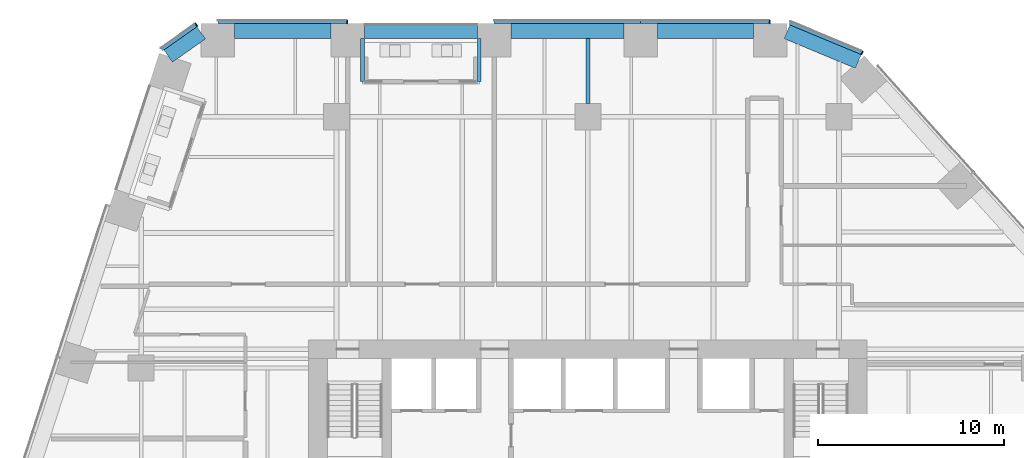
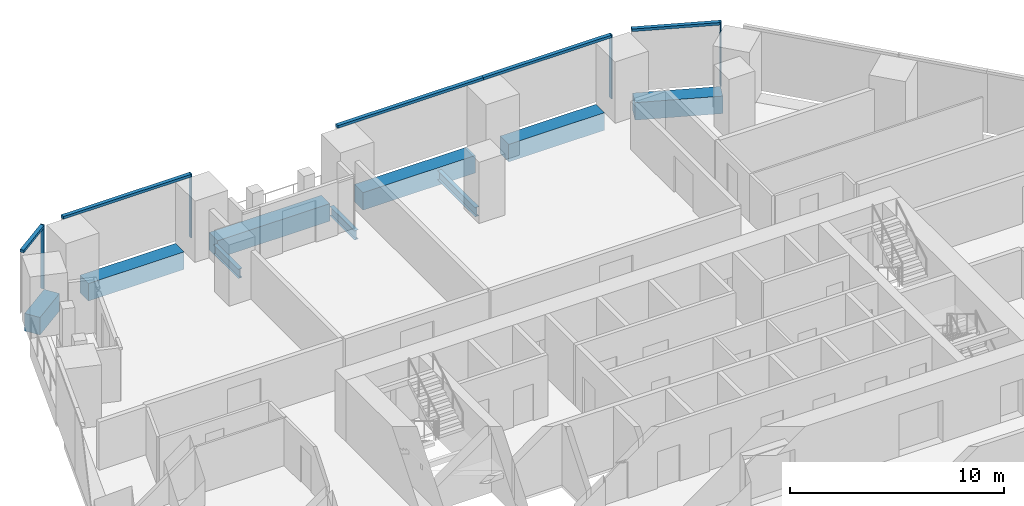
# One storey, part 13 of 28: 9 beams, 9 members, 3 elements without a shape of their own.
"""IFC4 building model written with IfcOpenShell, lengths in metres."""

from ifc_helpers import new_model, si_unit, direction, frame, origin, origin_2d, place, context, subcontext, project, spatial, rectangle, i_section, extrude, material, layer, layer_set, material_profile, profile_set, type_object, element, aggregate, save


model = new_model("IFC4")

# Units and contexts
model_context = context("Model", 3, precision=1e-05, world=origin(), true_north=direction((0.0, 1.0)))
body_context = subcontext(model_context, "Body", "Model", "MODEL_VIEW")
ifc_project = project(units=[si_unit("LENGTHUNIT", "METRE"), si_unit("AREAUNIT", "SQUARE_METRE"), si_unit("VOLUMEUNIT", "CUBIC_METRE"), si_unit("PLANEANGLEUNIT", "RADIAN"), si_unit("MASSUNIT", "GRAM", prefix="KILO")], contexts=[model_context])

# Site, building, storey
site_placement = place(None, origin())
site = spatial("IfcSite", under=ifc_project, at=site_placement, CompositionType="ELEMENT")
building_placement = place(site_placement, origin())
building = spatial("IfcBuilding", under=site, at=building_placement, Name="Isthmus Gate Tower", CompositionType="ELEMENT")
storey_placement = place(building_placement, frame((0.0, 0.0, 68.85009765625)))
storey = spatial("IfcBuildingStorey", under=building, at=storey_placement, Name="L15", CompositionType="ELEMENT", Elevation=68.85009765625)

# Curtain wall, members
ifc_material_1 = material(Name="Aluminium, pale champagne anodised", Category="aluminium")
ifc_layer = layer(ifc_material_1, 0.199951171875)
ifc_layer_set = layer_set([ifc_layer], Name="CW-1 UNITISED CURTAIN WALL 200 DEEP")
curtain_wall_type = type_object("IfcCurtainWallType", Name="CW-1 UNITISED CURTAIN WALL 200 DEEP", PredefinedType="NOTDEFINED", material=ifc_layer_set)
curtain_wall_1_placement = place(storey_placement, origin())
curtain_wall_1 = element("IfcCurtainWall", 1, at=curtain_wall_1_placement, inside=storey, type_object=curtain_wall_type, Name="CW-1 N L15", PredefinedType="NOTDEFINED")
ifc_material_2 = material(Name="Aluminium, pale champagne anodised", Category="aluminium")
ifc_material_profile_1 = material_profile(ifc_material_2, rectangle(XDim=0.06005859375, YDim=0.199951171875, at=origin_2d()), Name="60x200")
ifc_profile_set_1 = profile_set([ifc_material_profile_1], Name="Aluminium, pale champagne anodised")
member_type_1 = type_object("IfcMemberType", Name="CW-1 MULLION 60 X 200", PredefinedType="MULLION", material=ifc_profile_set_1)
member_1_placement = place(storey_placement, frame((9.77197265625, 32.10009765625, 0.0), z_axis=(0.0, 0.0, 1.0), x_axis=(-1.0, 0.0, 0.0)))
member_1 = element("IfcMember", 2, at=member_1_placement, type_object=member_type_1, Name="CW-1 mullion", PredefinedType="MULLION", context=body_context, shape_type="SweptSolid", body=[
    extrude(rectangle(XDim=0.06005859375, YDim=0.199951171875, at=origin_2d()), origin(), (0.0, 0.0, 1.0), 3.64990234375),
])
member_2_placement = place(storey_placement, frame((-12.936767578125, 32.10009765625, 0.0), z_axis=(0.0, 0.0, 1.0), x_axis=(-1.0, 0.0, 0.0)))
member_2 = element("IfcMember", 3, at=member_2_placement, type_object=member_type_1, Name="CW-1 mullion", PredefinedType="MULLION", context=body_context, shape_type="SweptSolid", body=[
    extrude(rectangle(XDim=0.06005859375, YDim=0.199951171875, at=origin_2d()), origin(), (0.0, 0.0, 1.0), 3.64990234375),
])

# Curtain wall, member
curtain_wall_2_placement = place(storey_placement, origin())
curtain_wall_2 = element("IfcCurtainWall", 4, at=curtain_wall_2_placement, inside=storey, type_object=curtain_wall_type, Name="CW-1 N-NW L15", PredefinedType="NOTDEFINED")
member_3_placement = place(storey_placement, frame((-21.031005859375, 31.943115234375, 0.0), z_axis=(0.0, 0.0, 1.0), x_axis=(-0.81785959165, -0.57541783805, 0.0)))
member_3 = element("IfcMember", 5, at=member_3_placement, type_object=member_type_1, Name="CW-1 mullion", PredefinedType="MULLION", context=body_context, shape_type="SweptSolid", body=[
    extrude(rectangle(XDim=0.06005859375, YDim=0.199951171875, at=origin_2d()), origin(), (0.0, 0.0, 1.0), 3.64990234375),
])

curtain_wall_3_placement = place(storey_placement, origin())
curtain_wall_3 = element("IfcCurtainWall", 6, at=curtain_wall_3_placement, inside=storey, type_object=curtain_wall_type, Name="CW-1 NE-N L15", PredefinedType="NOTDEFINED")
member_4_placement = place(storey_placement, frame((14.744140625, 30.427490234375, 0.0), z_axis=(0.0, 0.0, 1.0), x_axis=(-0.923353128387, 0.383951820282, 0.0)))
member_4 = element("IfcMember", 7, at=member_4_placement, type_object=member_type_1, Name="CW-1 mullion", PredefinedType="MULLION", context=body_context, shape_type="SweptSolid", body=[
    extrude(rectangle(XDim=0.06005859375, YDim=0.199951171875, at=origin_2d()), origin(), (0.0, 0.0, 1.0), 3.64990234375),
])

# Member
ifc_material_3 = material(Name="Aluminium, pale champagne anodised", Category="aluminium")
ifc_material_profile_2 = material_profile(ifc_material_3, rectangle(XDim=0.199951171875, YDim=0.14990234375, at=origin_2d()), Name="200x150")
ifc_profile_set_2 = profile_set([ifc_material_profile_2], Name="Aluminium, pale champagne anodised")
member_type_2 = type_object("IfcMemberType", Name="CW-1 TRANSOM 200 X 150", PredefinedType="USERDEFINED", material=ifc_profile_set_2)
member_5_placement = place(storey_placement, frame((9.741943359375, 32.10009765625, 3.574951171875), z_axis=(-1.0, 0.0, 0.0), x_axis=(0.0, -1.0, 0.0)))
member_5 = element("IfcMember", 8, at=member_5_placement, type_object=member_type_2, Name="CW-1 transom", ObjectType="TRANSOM", PredefinedType="USERDEFINED", context=body_context, shape_type="SweptSolid", body=[
    extrude(rectangle(XDim=0.199951171875, YDim=0.14990234375, at=origin_2d()), origin(), (0.0, 0.0, 1.0), 6.90966796875),
])

member_6_placement = place(storey_placement, frame((2.832275390625, 32.10009765625, 3.574951171875), z_axis=(-1.0, 0.0, 0.0), x_axis=(0.0, -1.0, 0.0)))
member_6 = element("IfcMember", 9, at=member_6_placement, type_object=member_type_2, Name="CW-1 transom", ObjectType="TRANSOM", PredefinedType="USERDEFINED", context=body_context, shape_type="SweptSolid", body=[
    extrude(rectangle(XDim=0.199951171875, YDim=0.14990234375, at=origin_2d()), origin(), (0.0, 0.0, 1.0), 7.869384765625),
])

member_7_placement = place(storey_placement, frame((-12.966796875, 32.10009765625, 3.574951171875), z_axis=(-1.0, 0.0, 0.0), x_axis=(0.0, -1.0, 0.0)))
member_7 = element("IfcMember", 10, at=member_7_placement, type_object=member_type_2, Name="CW-1 transom", ObjectType="TRANSOM", PredefinedType="USERDEFINED", context=body_context, shape_type="SweptSolid", body=[
    extrude(rectangle(XDim=0.199951171875, YDim=0.14990234375, at=origin_2d()), origin(), (0.0, 0.0, 1.0), 6.909423828125),
])

aggregate(curtain_wall_1, [member_1, member_5, member_6, member_2, member_7])

member_8_placement = place(storey_placement, frame((-21.055419921875, 31.92578125, 3.574951171875), z_axis=(-0.817868595604, -0.575405040233, 0.0), x_axis=(0.575405040233, -0.817868595604, 0.0)))
member_8 = element("IfcMember", 11, at=member_8_placement, type_object=member_type_2, Name="CW-1 transom", ObjectType="TRANSOM", PredefinedType="USERDEFINED", context=body_context, shape_type="SweptSolid", body=[
    extrude(rectangle(XDim=0.199951171875, YDim=0.14990234375, at=origin_2d()), origin(), (0.0, 0.0, 1.0), 2.258544921875),
])

aggregate(curtain_wall_2, [member_3, member_8])

member_9_placement = place(storey_placement, frame((14.716552734375, 30.43896484375, 3.574951171875), z_axis=(-0.923358236369, 0.383939536033, 0.0), x_axis=(-0.383939536033, -0.923358236369, 0.0)))
member_9 = element("IfcMember", 12, at=member_9_placement, type_object=member_type_2, Name="CW-1 transom", ObjectType="TRANSOM", PredefinedType="USERDEFINED", context=body_context, shape_type="SweptSolid", body=[
    extrude(rectangle(XDim=0.199951171875, YDim=0.14990234375, at=origin_2d()), origin(), (0.0, 0.0, 1.0), 4.181640625),
])

aggregate(curtain_wall_3, [member_4, member_9])

# Beams
ifc_material_4 = material(Name="Concrete f'c 70 MPa", Category="concrete")
ifc_material_profile_3 = material_profile(ifc_material_4, rectangle(XDim=0.800048828125, YDim=1.0, at=origin_2d()), Name="RC 800X1000")
ifc_profile_set_3 = profile_set([ifc_material_profile_3], Name="Concrete f'c 70 MPa")
beam_type_1 = type_object("IfcBeamType", Name="RC SPANDREL 800 X 1000", PredefinedType="SPANDREL", material=ifc_profile_set_3)
beam_1_placement = place(storey_placement, frame((10.701904296875, 31.56689453125, -0.5), z_axis=(0.923334166719, -0.383997417399, 0.0), x_axis=(0.383997417399, 0.923334166719, 0.0)))
element("IfcBeam", 13, at=beam_1_placement, inside=storey, type_object=beam_type_1, Name="str-spandrel-L15-00", PredefinedType="SPANDREL", context=body_context, shape_type="SweptSolid", body=[
    extrude(rectangle(XDim=0.800048828125, YDim=1.0, at=origin_2d()), origin(), (0.0, 0.0, 1.0), 4.15234375),
])
beam_2_placement = place(storey_placement, frame((-22.553466796875, 30.260498046875, -0.5), z_axis=(0.817857331203, 0.575421050882, 0.0), x_axis=(-0.575421050882, 0.817857331203, 0.0)))
element("IfcBeam", 14, at=beam_2_placement, inside=storey, type_object=beam_type_1, Name="str-spandrel-L15-22", PredefinedType="SPANDREL", context=body_context, shape_type="SweptSolid", body=[
    extrude(rectangle(XDim=0.800048828125, YDim=1.0, at=origin_2d()), origin(), (0.0, 0.0, 1.0), 2.173095703125),
])
beam_3_placement = place(storey_placement, frame((-18.976318359375, 31.60009765625, -0.5), z_axis=(1.0, 0.0, 0.0), x_axis=(0.0, 1.0, 0.0)))
element("IfcBeam", 15, at=beam_3_placement, inside=storey, type_object=beam_type_1, Name="str-spandrel-L15-23", PredefinedType="SPANDREL", context=body_context, shape_type="SweptSolid", body=[
    extrude(rectangle(XDim=0.800048828125, YDim=1.0, at=origin_2d()), origin(), (0.0, 0.0, 1.0), 5.169677734375),
])
beam_4_placement = place(storey_placement, frame((-12.006591796875, 31.60009765625, -0.5), z_axis=(1.0, 0.0, 0.0), x_axis=(0.0, 1.0, 0.0)))
element("IfcBeam", 16, at=beam_4_placement, inside=storey, type_object=beam_type_1, Name="str-spandrel-L15-24", PredefinedType="SPANDREL", context=body_context, shape_type="SweptSolid", body=[
    extrude(rectangle(XDim=0.800048828125, YDim=1.0, at=origin_2d()), origin(), (0.0, 0.0, 1.0), 6.0693359375),
])
beam_5_placement = place(storey_placement, frame((-4.13720703125, 31.60009765625, -0.5), z_axis=(1.0, 0.0, 0.0), x_axis=(0.0, 1.0, 0.0)))
element("IfcBeam", 17, at=beam_5_placement, inside=storey, type_object=beam_type_1, Name="str-spandrel-L15-25", PredefinedType="SPANDREL", context=body_context, shape_type="SweptSolid", body=[
    extrude(rectangle(XDim=0.800048828125, YDim=1.0, at=origin_2d()), origin(), (0.0, 0.0, 1.0), 6.069580078125),
])
beam_6_placement = place(storey_placement, frame((3.732421875, 31.60009765625, -0.5), z_axis=(1.0, 0.0, 0.0), x_axis=(0.0, 1.0, 0.0)))
element("IfcBeam", 18, at=beam_6_placement, inside=storey, type_object=beam_type_1, Name="str-spandrel-L15-26", PredefinedType="SPANDREL", context=body_context, shape_type="SweptSolid", body=[
    extrude(rectangle(XDim=0.800048828125, YDim=1.0, at=origin_2d()), origin(), (0.0, 0.0, 1.0), 5.16943359375),
])
ifc_material_5 = material(Name="Structural steel ASTM A992 Gr 50", Category="steel")
ifc_material_profile_4 = material_profile(ifc_material_5, i_section(OverallWidth=0.20947265625, OverallDepth=0.533447265625, WebThickness=0.009521484375, FlangeThickness=0.015869140625, at=origin_2d()), Name="W21X62")
ifc_profile_set_4 = profile_set([ifc_material_profile_4], Name="Structural steel ASTM A992 Gr 50")
beam_type_2 = type_object("IfcBeamType", Name="STEEL GIRDER W21X62", PredefinedType="BEAM", material=ifc_profile_set_4)
beam_7_placement = place(storey_placement, frame((0.0, 27.699951171875, -0.416748046875), z_axis=(0.0, 1.0, 0.0), x_axis=(-1.0, 0.0, 0.0)))
element("IfcBeam", 19, at=beam_7_placement, inside=storey, type_object=beam_type_2, Name="str-girder-L15-30", PredefinedType="BEAM", context=body_context, shape_type="SweptSolid", body=[
    extrude(i_section(OverallWidth=0.20947265625, OverallDepth=0.533447265625, WebThickness=0.009521484375, FlangeThickness=0.015869140625, at=origin_2d()), origin(), (0.0, 0.0, 1.0), 3.5),
])
ifc_material_6 = material(Name="Structural steel ASTM A992 Gr 50", Category="steel")
ifc_material_profile_5 = material_profile(ifc_material_6, i_section(OverallWidth=0.20947265625, OverallDepth=0.533447265625, WebThickness=0.009521484375, FlangeThickness=0.015869140625, at=origin_2d()), Name="W21X62")
ifc_profile_set_5 = profile_set([ifc_material_profile_5], Name="Structural steel ASTM A992 Gr 50")
beam_type_3 = type_object("IfcBeamType", Name="STEEL TRIMMER W21X62", PredefinedType="BEAM", material=ifc_profile_set_5)
for number, where, z_axis, x_axis, name in (
    (20, (-5.83251953125, 31.199951171875, -0.416748046875), (0.0, -1.0, 0.0), (1.0, 0.0, 0.0), "str-loggiatrim-L15-01-A"),
    (21, (-12.111572265625, 31.199951171875, -0.416748046875), (0.0, -1.0, 0.0), (1.0, 0.0, 0.0), "str-loggiatrim-L15-01-C"),
):
    element("IfcBeam", number, at=place(storey_placement, frame(where, z_axis=z_axis, x_axis=x_axis)), inside=storey, type_object=beam_type_3, Name=name, PredefinedType="BEAM", context=body_context, shape_type="SweptSolid", body=[
        extrude(i_section(OverallWidth=0.20947265625, OverallDepth=0.533447265625, WebThickness=0.009521484375, FlangeThickness=0.015869140625, at=origin_2d()), origin(), (0.0, 0.0, 1.0), 2.314208984375),
    ])

save(model, "model.ifc")
